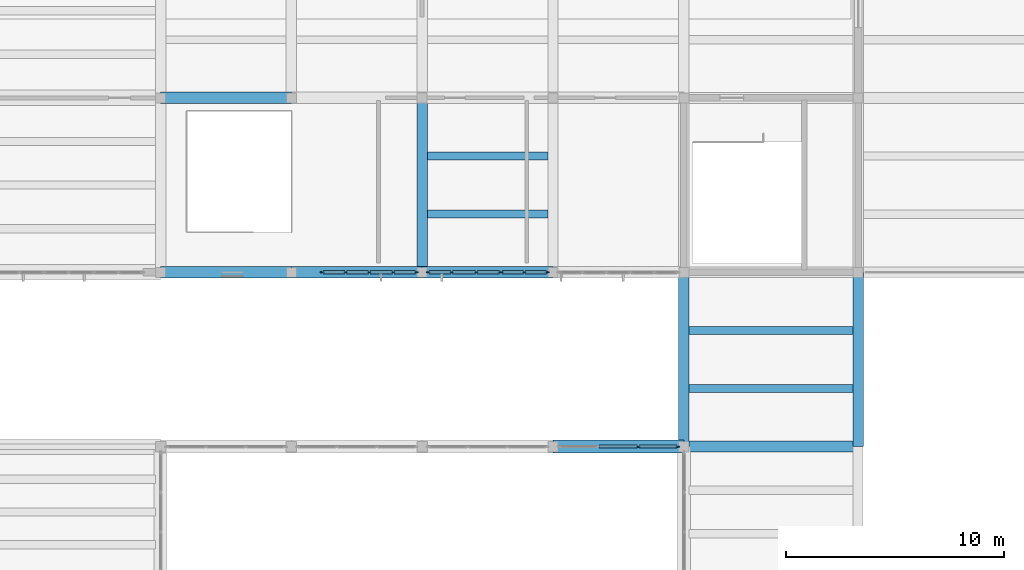
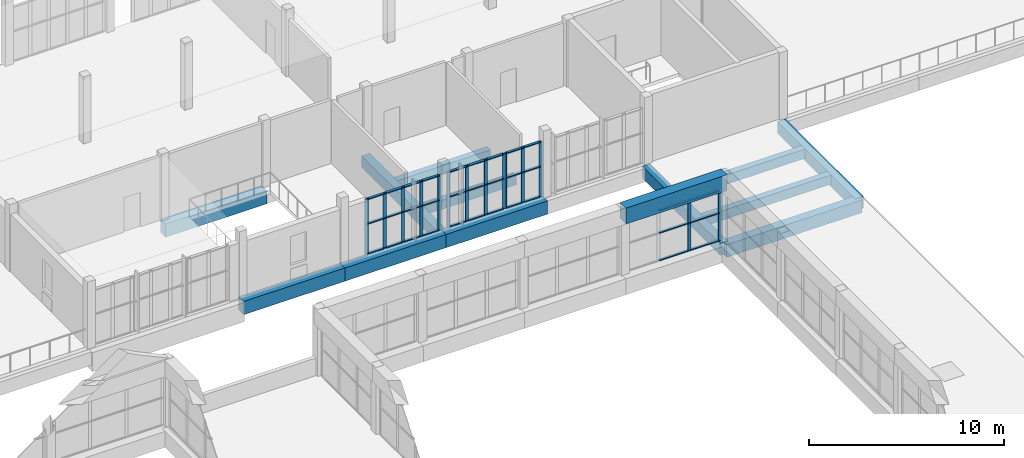
# One storey, part 26 of 70: 47 members, 13 beams, 4 elements without a shape of their own.
"""IFC4 building model written with IfcOpenShell, lengths in metres."""

from ifc_helpers import new_model, si_unit, direction, frame, origin, origin_2d, place, context, subcontext, project, spatial, rectangle, extrude, material, layer, layer_set, material_profile, profile_set, type_object, element, aggregate, save


model = new_model("IFC4")

# Units and contexts
model_context = context("Model", 3, precision=1e-05, world=origin(), true_north=direction((0.0, 1.0)))
body_context = subcontext(model_context, "Body", "Model", "MODEL_VIEW")
ifc_project = project(units=[si_unit("LENGTHUNIT", "METRE"), si_unit("AREAUNIT", "SQUARE_METRE"), si_unit("VOLUMEUNIT", "CUBIC_METRE"), si_unit("PLANEANGLEUNIT", "RADIAN"), si_unit("MASSUNIT", "GRAM", prefix="KILO")], contexts=[model_context])

# Site, building, storey
site_placement = place(None, origin())
site = spatial("IfcSite", under=ifc_project, at=site_placement, CompositionType="ELEMENT")
building_placement = place(site_placement, origin())
building = spatial("IfcBuilding", under=site, at=building_placement, Name="Solvane Community Centre", CompositionType="ELEMENT")
storey_placement = place(building_placement, frame((0.0, 0.0, 9.60009765625)))
storey = spatial("IfcBuildingStorey", under=building, at=storey_placement, Name="L02", CompositionType="ELEMENT", Elevation=9.60009765625)

# Curtain wall, members
ifc_material_1 = material(Name="Anodised bronze aluminium AW-6063 T6", Category="aluminium")
ifc_layer_1 = layer(ifc_material_1, 0.18994140625)
ifc_layer_set_1 = layer_set([ifc_layer_1], Name="Anodised bronze aluminium AW-6063 T6")
curtain_wall_type_1 = type_object("IfcCurtainWallType", Name="Boulevard Bronze Vision Curtain Wall [22x35dm]", PredefinedType="NOTDEFINED", material=ifc_layer_set_1)
curtain_wall_1_placement = place(storey_placement, origin())
curtain_wall_1 = element("IfcCurtainWall", 1, at=curtain_wall_1_placement, inside=storey, type_object=curtain_wall_type_1, Name="Curtain Wall CW-L02-538_860-211", PredefinedType="NOTDEFINED")
ifc_material_profile_1 = material_profile(ifc_material_1, rectangle(XDim=0.06005859375, YDim=0.18994140625, at=origin_2d()), Name="CW-M 60x190")
ifc_profile_set_1 = profile_set([ifc_material_profile_1], Name="Anodised bronze aluminium AW-6063 T6")
member_type_1 = type_object("IfcMemberType", Name="Boulevard Mullion 60x190", PredefinedType="MULLION", material=ifc_profile_set_1)
member_1_placement = place(storey_placement, frame((53.72509765625, 86.0, 0.0), z_axis=(0.0, 0.0, 1.0), x_axis=(0.0, -1.0, 0.0)))
member_1 = element("IfcMember", 2, at=member_1_placement, type_object=member_type_1, Name="CW02-22x35 mullion 1", PredefinedType="MULLION", context=body_context, shape_type="SweptSolid", body=[
    extrude(rectangle(XDim=0.06005859375, YDim=0.18994140625, at=origin_2d()), origin(), (0.0, 0.0, 1.0), 3.46484375),
])
member_2_placement = place(storey_placement, frame((52.677490234375, 86.0, 0.0), z_axis=(0.0, 0.0, 1.0), x_axis=(0.0, -1.0, 0.0)))
member_2 = element("IfcMember", 3, at=member_2_placement, type_object=member_type_1, Name="CW02-22x35 mullion 2", PredefinedType="MULLION", context=body_context, shape_type="SweptSolid", body=[
    extrude(rectangle(XDim=0.06005859375, YDim=0.18994140625, at=origin_2d()), origin(), (0.0, 0.0, 1.0), 3.46484375),
])
member_3_placement = place(storey_placement, frame((51.6298828125, 86.0, 0.0), z_axis=(0.0, 0.0, 1.0), x_axis=(0.0, -1.0, 0.0)))
member_3 = element("IfcMember", 4, at=member_3_placement, type_object=member_type_1, Name="CW02-22x35 mullion 3", PredefinedType="MULLION", context=body_context, shape_type="SweptSolid", body=[
    extrude(rectangle(XDim=0.06005859375, YDim=0.18994140625, at=origin_2d()), origin(), (0.0, 0.0, 1.0), 3.46484375),
])

ifc_layer_2 = layer(ifc_material_1, 0.18994140625)
ifc_layer_set_2 = layer_set([ifc_layer_2], Name="Anodised bronze aluminium AW-6063 T6")
curtain_wall_type_2 = type_object("IfcCurtainWallType", Name="Boulevard Bronze Vision Curtain Wall [34x35dm]", PredefinedType="NOTDEFINED", material=ifc_layer_set_2)
curtain_wall_2_placement = place(storey_placement, origin())
curtain_wall_2 = element("IfcCurtainWall", 5, at=curtain_wall_2_placement, inside=storey, type_object=curtain_wall_type_2, Name="Curtain Wall CW-L02-516_860-212", PredefinedType="NOTDEFINED")
member_4_placement = place(storey_placement, frame((51.570068359375, 86.0, 0.0), z_axis=(0.0, 0.0, 1.0), x_axis=(0.0, -1.0, 0.0)))
member_4 = element("IfcMember", 6, at=member_4_placement, type_object=member_type_1, Name="CW02-34x35 mullion 1", PredefinedType="MULLION", context=body_context, shape_type="SweptSolid", body=[
    extrude(rectangle(XDim=0.06005859375, YDim=0.18994140625, at=origin_2d()), origin(), (0.0, 0.0, 1.0), 3.46484375),
])
member_5_placement = place(storey_placement, frame((50.481689453125, 86.0, 0.0), z_axis=(0.0, 0.0, 1.0), x_axis=(0.0, -1.0, 0.0)))
member_5 = element("IfcMember", 7, at=member_5_placement, type_object=member_type_1, Name="CW02-34x35 mullion 2", PredefinedType="MULLION", context=body_context, shape_type="SweptSolid", body=[
    extrude(rectangle(XDim=0.06005859375, YDim=0.18994140625, at=origin_2d()), origin(), (0.0, 0.0, 1.0), 3.46484375),
])
member_6_placement = place(storey_placement, frame((49.36328125, 86.0, 0.0), z_axis=(0.0, 0.0, 1.0), x_axis=(0.0, -1.0, 0.0)))
member_6 = element("IfcMember", 8, at=member_6_placement, type_object=member_type_1, Name="CW02-34x35 mullion 3", PredefinedType="MULLION", context=body_context, shape_type="SweptSolid", body=[
    extrude(rectangle(XDim=0.06005859375, YDim=0.18994140625, at=origin_2d()), origin(), (0.0, 0.0, 1.0), 3.46484375),
])
member_7_placement = place(storey_placement, frame((48.27490234375, 86.0, 0.0), z_axis=(0.0, 0.0, 1.0), x_axis=(0.0, -1.0, 0.0)))
member_7 = element("IfcMember", 9, at=member_7_placement, type_object=member_type_1, Name="CW02-34x35 mullion 4", PredefinedType="MULLION", context=body_context, shape_type="SweptSolid", body=[
    extrude(rectangle(XDim=0.06005859375, YDim=0.18994140625, at=origin_2d()), origin(), (0.0, 0.0, 1.0), 3.46484375),
])

ifc_layer_3 = layer(ifc_material_1, 0.18994140625)
ifc_layer_set_3 = layer_set([ifc_layer_3], Name="Anodised bronze aluminium AW-6063 T6")
curtain_wall_type_3 = type_object("IfcCurtainWallType", Name="Boulevard Bronze Vision Curtain Wall [44x35dm]", PredefinedType="NOTDEFINED", material=ifc_layer_set_3)
curtain_wall_3_placement = place(storey_placement, origin())
curtain_wall_3 = element("IfcCurtainWall", 10, at=curtain_wall_3_placement, inside=storey, type_object=curtain_wall_type_3, Name="Curtain Wall CW-L02-478_860-213", PredefinedType="NOTDEFINED")
member_8_placement = place(storey_placement, frame((47.72509765625, 86.0, 0.0), z_axis=(0.0, 0.0, 1.0), x_axis=(0.0, -1.0, 0.0)))
member_8 = element("IfcMember", 11, at=member_8_placement, type_object=member_type_1, Name="CW02-44x35 mullion 1", PredefinedType="MULLION", context=body_context, shape_type="SweptSolid", body=[
    extrude(rectangle(XDim=0.06005859375, YDim=0.18994140625, at=origin_2d()), origin(), (0.0, 0.0, 1.0), 3.46484375),
])
member_9_placement = place(storey_placement, frame((46.666259765625, 86.0, 0.0), z_axis=(0.0, 0.0, 1.0), x_axis=(0.0, -1.0, 0.0)))
member_9 = element("IfcMember", 12, at=member_9_placement, type_object=member_type_1, Name="CW02-44x35 mullion 2", PredefinedType="MULLION", context=body_context, shape_type="SweptSolid", body=[
    extrude(rectangle(XDim=0.06005859375, YDim=0.18994140625, at=origin_2d()), origin(), (0.0, 0.0, 1.0), 3.46484375),
])
member_10_placement = place(storey_placement, frame((45.577392578125, 86.0, 0.0), z_axis=(0.0, 0.0, 1.0), x_axis=(0.0, -1.0, 0.0)))
member_10 = element("IfcMember", 13, at=member_10_placement, type_object=member_type_1, Name="CW02-44x35 mullion 3", PredefinedType="MULLION", context=body_context, shape_type="SweptSolid", body=[
    extrude(rectangle(XDim=0.06005859375, YDim=0.18994140625, at=origin_2d()), origin(), (0.0, 0.0, 1.0), 3.46484375),
])
member_11_placement = place(storey_placement, frame((44.48876953125, 86.0, 0.0), z_axis=(0.0, 0.0, 1.0), x_axis=(0.0, -1.0, 0.0)))
member_11 = element("IfcMember", 14, at=member_11_placement, type_object=member_type_1, Name="CW02-44x35 mullion 4", PredefinedType="MULLION", context=body_context, shape_type="SweptSolid", body=[
    extrude(rectangle(XDim=0.06005859375, YDim=0.18994140625, at=origin_2d()), origin(), (0.0, 0.0, 1.0), 3.46484375),
])
member_12_placement = place(storey_placement, frame((43.429931640625, 86.0, 0.0), z_axis=(0.0, 0.0, 1.0), x_axis=(0.0, -1.0, 0.0)))
member_12 = element("IfcMember", 15, at=member_12_placement, type_object=member_type_1, Name="CW02-44x35 mullion 5", PredefinedType="MULLION", context=body_context, shape_type="SweptSolid", body=[
    extrude(rectangle(XDim=0.06005859375, YDim=0.18994140625, at=origin_2d()), origin(), (0.0, 0.0, 1.0), 3.46484375),
])

# Member
ifc_material_profile_2 = material_profile(ifc_material_1, rectangle(XDim=0.14990234375, YDim=0.06005859375, at=origin_2d()), Name="CW-T 60x150")
ifc_profile_set_2 = profile_set([ifc_material_profile_2], Name="Anodised bronze aluminium AW-6063 T6")
member_type_2 = type_object("IfcMemberType", Name="Boulevard Transom 60x150", PredefinedType="USERDEFINED", material=ifc_profile_set_2)
member_13_placement = place(storey_placement, frame((53.695068359375, 86.0, 0.02978515625), z_axis=(-1.0, 0.0, 0.0), x_axis=(0.0, -1.0, 0.0)))
member_13 = element("IfcMember", 16, at=member_13_placement, type_object=member_type_2, Name="CW02-22x35 transom 1.1", ObjectType="TRANSOM", PredefinedType="USERDEFINED", context=body_context, shape_type="SweptSolid", body=[
    extrude(rectangle(XDim=0.14990234375, YDim=0.06005859375, at=origin_2d()), origin(), (0.0, 0.0, 1.0), 0.987548828125),
])

member_14_placement = place(storey_placement, frame((53.695068359375, 86.0, 1.906005859375), z_axis=(-1.0, 0.0, 0.0), x_axis=(0.0, -1.0, 0.0)))
member_14 = element("IfcMember", 17, at=member_14_placement, type_object=member_type_2, Name="CW02-22x35 transom 1.2", ObjectType="TRANSOM", PredefinedType="USERDEFINED", context=body_context, shape_type="SweptSolid", body=[
    extrude(rectangle(XDim=0.14990234375, YDim=0.06005859375, at=origin_2d()), origin(), (0.0, 0.0, 1.0), 0.987548828125),
])

member_15_placement = place(storey_placement, frame((53.695068359375, 86.0, 3.434814453125), z_axis=(-1.0, 0.0, 0.0), x_axis=(0.0, -1.0, 0.0)))
member_15 = element("IfcMember", 18, at=member_15_placement, type_object=member_type_2, Name="CW02-22x35 transom 1.3", ObjectType="TRANSOM", PredefinedType="USERDEFINED", context=body_context, shape_type="SweptSolid", body=[
    extrude(rectangle(XDim=0.14990234375, YDim=0.06005859375, at=origin_2d()), origin(), (0.0, 0.0, 1.0), 0.987548828125),
])

member_16_placement = place(storey_placement, frame((52.6474609375, 86.0, 0.02978515625), z_axis=(-1.0, 0.0, 0.0), x_axis=(0.0, -1.0, 0.0)))
member_16 = element("IfcMember", 19, at=member_16_placement, type_object=member_type_2, Name="CW02-22x35 transom 2.1", ObjectType="TRANSOM", PredefinedType="USERDEFINED", context=body_context, shape_type="SweptSolid", body=[
    extrude(rectangle(XDim=0.14990234375, YDim=0.06005859375, at=origin_2d()), origin(), (0.0, 0.0, 1.0), 0.987548828125),
])

member_17_placement = place(storey_placement, frame((52.6474609375, 86.0, 1.906005859375), z_axis=(-1.0, 0.0, 0.0), x_axis=(0.0, -1.0, 0.0)))
member_17 = element("IfcMember", 20, at=member_17_placement, type_object=member_type_2, Name="CW02-22x35 transom 2.2", ObjectType="TRANSOM", PredefinedType="USERDEFINED", context=body_context, shape_type="SweptSolid", body=[
    extrude(rectangle(XDim=0.14990234375, YDim=0.06005859375, at=origin_2d()), origin(), (0.0, 0.0, 1.0), 0.987548828125),
])

member_18_placement = place(storey_placement, frame((52.6474609375, 86.0, 3.434814453125), z_axis=(-1.0, 0.0, 0.0), x_axis=(0.0, -1.0, 0.0)))
member_18 = element("IfcMember", 21, at=member_18_placement, type_object=member_type_2, Name="CW02-22x35 transom 2.3", ObjectType="TRANSOM", PredefinedType="USERDEFINED", context=body_context, shape_type="SweptSolid", body=[
    extrude(rectangle(XDim=0.14990234375, YDim=0.06005859375, at=origin_2d()), origin(), (0.0, 0.0, 1.0), 0.987548828125),
])

aggregate(curtain_wall_1, [member_1, member_2, member_3, member_13, member_14, member_15, member_16, member_17, member_18])

member_19_placement = place(storey_placement, frame((51.5400390625, 86.0, 0.02978515625), z_axis=(-1.0, 0.0, 0.0), x_axis=(0.0, -1.0, 0.0)))
member_19 = element("IfcMember", 22, at=member_19_placement, type_object=member_type_2, Name="CW02-34x35 transom 1.1", ObjectType="TRANSOM", PredefinedType="USERDEFINED", context=body_context, shape_type="SweptSolid", body=[
    extrude(rectangle(XDim=0.14990234375, YDim=0.06005859375, at=origin_2d()), origin(), (0.0, 0.0, 1.0), 1.0283203125),
])

member_20_placement = place(storey_placement, frame((51.5400390625, 86.0, 1.906005859375), z_axis=(-1.0, 0.0, 0.0), x_axis=(0.0, -1.0, 0.0)))
member_20 = element("IfcMember", 23, at=member_20_placement, type_object=member_type_2, Name="CW02-34x35 transom 1.2", ObjectType="TRANSOM", PredefinedType="USERDEFINED", context=body_context, shape_type="SweptSolid", body=[
    extrude(rectangle(XDim=0.14990234375, YDim=0.06005859375, at=origin_2d()), origin(), (0.0, 0.0, 1.0), 1.0283203125),
])

member_21_placement = place(storey_placement, frame((51.5400390625, 86.0, 3.434814453125), z_axis=(-1.0, 0.0, 0.0), x_axis=(0.0, -1.0, 0.0)))
member_21 = element("IfcMember", 24, at=member_21_placement, type_object=member_type_2, Name="CW02-34x35 transom 1.3", ObjectType="TRANSOM", PredefinedType="USERDEFINED", context=body_context, shape_type="SweptSolid", body=[
    extrude(rectangle(XDim=0.14990234375, YDim=0.06005859375, at=origin_2d()), origin(), (0.0, 0.0, 1.0), 1.0283203125),
])

member_22_placement = place(storey_placement, frame((50.45166015625, 86.0, 0.02978515625), z_axis=(-1.0, 0.0, 0.0), x_axis=(0.0, -1.0, 0.0)))
member_22 = element("IfcMember", 25, at=member_22_placement, type_object=member_type_2, Name="CW02-34x35 transom 2.1", ObjectType="TRANSOM", PredefinedType="USERDEFINED", context=body_context, shape_type="SweptSolid", body=[
    extrude(rectangle(XDim=0.14990234375, YDim=0.06005859375, at=origin_2d()), origin(), (0.0, 0.0, 1.0), 1.058349609375),
])

member_23_placement = place(storey_placement, frame((50.45166015625, 86.0, 1.906005859375), z_axis=(-1.0, 0.0, 0.0), x_axis=(0.0, -1.0, 0.0)))
member_23 = element("IfcMember", 26, at=member_23_placement, type_object=member_type_2, Name="CW02-34x35 transom 2.2", ObjectType="TRANSOM", PredefinedType="USERDEFINED", context=body_context, shape_type="SweptSolid", body=[
    extrude(rectangle(XDim=0.14990234375, YDim=0.06005859375, at=origin_2d()), origin(), (0.0, 0.0, 1.0), 1.058349609375),
])

member_24_placement = place(storey_placement, frame((50.45166015625, 86.0, 3.434814453125), z_axis=(-1.0, 0.0, 0.0), x_axis=(0.0, -1.0, 0.0)))
member_24 = element("IfcMember", 27, at=member_24_placement, type_object=member_type_2, Name="CW02-34x35 transom 2.3", ObjectType="TRANSOM", PredefinedType="USERDEFINED", context=body_context, shape_type="SweptSolid", body=[
    extrude(rectangle(XDim=0.14990234375, YDim=0.06005859375, at=origin_2d()), origin(), (0.0, 0.0, 1.0), 1.058349609375),
])

member_25_placement = place(storey_placement, frame((49.333251953125, 86.0, 0.02978515625), z_axis=(-1.0, 0.0, 0.0), x_axis=(0.0, -1.0, 0.0)))
member_25 = element("IfcMember", 28, at=member_25_placement, type_object=member_type_2, Name="CW02-34x35 transom 3.1", ObjectType="TRANSOM", PredefinedType="USERDEFINED", context=body_context, shape_type="SweptSolid", body=[
    extrude(rectangle(XDim=0.14990234375, YDim=0.06005859375, at=origin_2d()), origin(), (0.0, 0.0, 1.0), 1.0283203125),
])

member_26_placement = place(storey_placement, frame((49.333251953125, 86.0, 1.906005859375), z_axis=(-1.0, 0.0, 0.0), x_axis=(0.0, -1.0, 0.0)))
member_26 = element("IfcMember", 29, at=member_26_placement, type_object=member_type_2, Name="CW02-34x35 transom 3.2", ObjectType="TRANSOM", PredefinedType="USERDEFINED", context=body_context, shape_type="SweptSolid", body=[
    extrude(rectangle(XDim=0.14990234375, YDim=0.06005859375, at=origin_2d()), origin(), (0.0, 0.0, 1.0), 1.0283203125),
])

member_27_placement = place(storey_placement, frame((49.333251953125, 86.0, 3.434814453125), z_axis=(-1.0, 0.0, 0.0), x_axis=(0.0, -1.0, 0.0)))
member_27 = element("IfcMember", 30, at=member_27_placement, type_object=member_type_2, Name="CW02-34x35 transom 3.3", ObjectType="TRANSOM", PredefinedType="USERDEFINED", context=body_context, shape_type="SweptSolid", body=[
    extrude(rectangle(XDim=0.14990234375, YDim=0.06005859375, at=origin_2d()), origin(), (0.0, 0.0, 1.0), 1.0283203125),
])

aggregate(curtain_wall_2, [member_4, member_5, member_6, member_7, member_19, member_20, member_21, member_22, member_23, member_24, member_25, member_26, member_27])

member_28_placement = place(storey_placement, frame((47.695068359375, 86.0, 0.02978515625), z_axis=(-1.0, 0.0, 0.0), x_axis=(0.0, -1.0, 0.0)))
member_28 = element("IfcMember", 31, at=member_28_placement, type_object=member_type_2, Name="CW02-44x35 transom 1.1", ObjectType="TRANSOM", PredefinedType="USERDEFINED", context=body_context, shape_type="SweptSolid", body=[
    extrude(rectangle(XDim=0.14990234375, YDim=0.06005859375, at=origin_2d()), origin(), (0.0, 0.0, 1.0), 0.998779296875),
])

member_29_placement = place(storey_placement, frame((47.695068359375, 86.0, 1.906005859375), z_axis=(-1.0, 0.0, 0.0), x_axis=(0.0, -1.0, 0.0)))
member_29 = element("IfcMember", 32, at=member_29_placement, type_object=member_type_2, Name="CW02-44x35 transom 1.2", ObjectType="TRANSOM", PredefinedType="USERDEFINED", context=body_context, shape_type="SweptSolid", body=[
    extrude(rectangle(XDim=0.14990234375, YDim=0.06005859375, at=origin_2d()), origin(), (0.0, 0.0, 1.0), 0.998779296875),
])

member_30_placement = place(storey_placement, frame((47.695068359375, 86.0, 3.434814453125), z_axis=(-1.0, 0.0, 0.0), x_axis=(0.0, -1.0, 0.0)))
member_30 = element("IfcMember", 33, at=member_30_placement, type_object=member_type_2, Name="CW02-44x35 transom 1.3", ObjectType="TRANSOM", PredefinedType="USERDEFINED", context=body_context, shape_type="SweptSolid", body=[
    extrude(rectangle(XDim=0.14990234375, YDim=0.06005859375, at=origin_2d()), origin(), (0.0, 0.0, 1.0), 0.998779296875),
])

member_31_placement = place(storey_placement, frame((46.63623046875, 86.0, 0.02978515625), z_axis=(-1.0, 0.0, 0.0), x_axis=(0.0, -1.0, 0.0)))
member_31 = element("IfcMember", 34, at=member_31_placement, type_object=member_type_2, Name="CW02-44x35 transom 2.1", ObjectType="TRANSOM", PredefinedType="USERDEFINED", context=body_context, shape_type="SweptSolid", body=[
    extrude(rectangle(XDim=0.14990234375, YDim=0.06005859375, at=origin_2d()), origin(), (0.0, 0.0, 1.0), 1.02880859375),
])

member_32_placement = place(storey_placement, frame((46.63623046875, 86.0, 1.906005859375), z_axis=(-1.0, 0.0, 0.0), x_axis=(0.0, -1.0, 0.0)))
member_32 = element("IfcMember", 35, at=member_32_placement, type_object=member_type_2, Name="CW02-44x35 transom 2.2", ObjectType="TRANSOM", PredefinedType="USERDEFINED", context=body_context, shape_type="SweptSolid", body=[
    extrude(rectangle(XDim=0.14990234375, YDim=0.06005859375, at=origin_2d()), origin(), (0.0, 0.0, 1.0), 1.02880859375),
])

member_33_placement = place(storey_placement, frame((46.63623046875, 86.0, 3.434814453125), z_axis=(-1.0, 0.0, 0.0), x_axis=(0.0, -1.0, 0.0)))
member_33 = element("IfcMember", 36, at=member_33_placement, type_object=member_type_2, Name="CW02-44x35 transom 2.3", ObjectType="TRANSOM", PredefinedType="USERDEFINED", context=body_context, shape_type="SweptSolid", body=[
    extrude(rectangle(XDim=0.14990234375, YDim=0.06005859375, at=origin_2d()), origin(), (0.0, 0.0, 1.0), 1.02880859375),
])

member_34_placement = place(storey_placement, frame((45.547607421875, 86.0, 0.02978515625), z_axis=(-1.0, 0.0, 0.0), x_axis=(0.0, -1.0, 0.0)))
member_34 = element("IfcMember", 37, at=member_34_placement, type_object=member_type_2, Name="CW02-44x35 transom 3.1", ObjectType="TRANSOM", PredefinedType="USERDEFINED", context=body_context, shape_type="SweptSolid", body=[
    extrude(rectangle(XDim=0.14990234375, YDim=0.06005859375, at=origin_2d()), origin(), (0.0, 0.0, 1.0), 1.02880859375),
])

member_35_placement = place(storey_placement, frame((45.547607421875, 86.0, 1.906005859375), z_axis=(-1.0, 0.0, 0.0), x_axis=(0.0, -1.0, 0.0)))
member_35 = element("IfcMember", 38, at=member_35_placement, type_object=member_type_2, Name="CW02-44x35 transom 3.2", ObjectType="TRANSOM", PredefinedType="USERDEFINED", context=body_context, shape_type="SweptSolid", body=[
    extrude(rectangle(XDim=0.14990234375, YDim=0.06005859375, at=origin_2d()), origin(), (0.0, 0.0, 1.0), 1.02880859375),
])

member_36_placement = place(storey_placement, frame((45.547607421875, 86.0, 3.434814453125), z_axis=(-1.0, 0.0, 0.0), x_axis=(0.0, -1.0, 0.0)))
member_36 = element("IfcMember", 39, at=member_36_placement, type_object=member_type_2, Name="CW02-44x35 transom 3.3", ObjectType="TRANSOM", PredefinedType="USERDEFINED", context=body_context, shape_type="SweptSolid", body=[
    extrude(rectangle(XDim=0.14990234375, YDim=0.06005859375, at=origin_2d()), origin(), (0.0, 0.0, 1.0), 1.02880859375),
])

member_37_placement = place(storey_placement, frame((44.458740234375, 86.0, 0.02978515625), z_axis=(-1.0, 0.0, 0.0), x_axis=(0.0, -1.0, 0.0)))
member_37 = element("IfcMember", 40, at=member_37_placement, type_object=member_type_2, Name="CW02-44x35 transom 4.1", ObjectType="TRANSOM", PredefinedType="USERDEFINED", context=body_context, shape_type="SweptSolid", body=[
    extrude(rectangle(XDim=0.14990234375, YDim=0.06005859375, at=origin_2d()), origin(), (0.0, 0.0, 1.0), 0.998779296875),
])

member_38_placement = place(storey_placement, frame((44.458740234375, 86.0, 1.906005859375), z_axis=(-1.0, 0.0, 0.0), x_axis=(0.0, -1.0, 0.0)))
member_38 = element("IfcMember", 41, at=member_38_placement, type_object=member_type_2, Name="CW02-44x35 transom 4.2", ObjectType="TRANSOM", PredefinedType="USERDEFINED", context=body_context, shape_type="SweptSolid", body=[
    extrude(rectangle(XDim=0.14990234375, YDim=0.06005859375, at=origin_2d()), origin(), (0.0, 0.0, 1.0), 0.998779296875),
])

member_39_placement = place(storey_placement, frame((44.458740234375, 86.0, 3.434814453125), z_axis=(-1.0, 0.0, 0.0), x_axis=(0.0, -1.0, 0.0)))
member_39 = element("IfcMember", 42, at=member_39_placement, type_object=member_type_2, Name="CW02-44x35 transom 4.3", ObjectType="TRANSOM", PredefinedType="USERDEFINED", context=body_context, shape_type="SweptSolid", body=[
    extrude(rectangle(XDim=0.14990234375, YDim=0.06005859375, at=origin_2d()), origin(), (0.0, 0.0, 1.0), 0.998779296875),
])

aggregate(curtain_wall_3, [member_8, member_9, member_10, member_11, member_12, member_28, member_29, member_30, member_31, member_32, member_33, member_34, member_35, member_36, member_37, member_38, member_39])

# Curtain wall, members
ifc_layer_4 = layer(ifc_material_1, 0.179931640625)
ifc_layer_set_4 = layer_set([ifc_layer_4], Name="Anodised bronze aluminium AW-6063 T6")
curtain_wall_type_4 = type_object("IfcCurtainWallType", Name="Hall Translucent Upper Curtain Wall [55x32dm]", PredefinedType="NOTDEFINED", material=ifc_layer_set_4)
curtain_wall_4_placement = place(storey_placement, origin())
curtain_wall_4 = element("IfcCurtainWall", 43, at=curtain_wall_4_placement, inside=storey, type_object=curtain_wall_type_4, Name="Curtain Wall CW-L02-543_780-161", PredefinedType="NOTDEFINED")
ifc_material_profile_3 = material_profile(ifc_material_1, rectangle(XDim=0.06005859375, YDim=0.179931640625, at=origin_2d()), Name="CW-M 60x180")
ifc_profile_set_3 = profile_set([ifc_material_profile_3], Name="Anodised bronze aluminium AW-6063 T6")
member_type_3 = type_object("IfcMemberType", Name="Hall Mullion 60x180", PredefinedType="MULLION", material=ifc_profile_set_3)
member_40_placement = place(storey_placement, frame((57.9150390625, 78.0, 0.0), z_axis=(0.0, 0.0, 1.0), x_axis=(0.0, 1.0, 0.0)))
member_40 = element("IfcMember", 44, at=member_40_placement, type_object=member_type_3, Name="CW01-55x32 mullion 3", PredefinedType="MULLION", context=body_context, shape_type="SweptSolid", body=[
    extrude(rectangle(XDim=0.06005859375, YDim=0.179931640625, at=origin_2d()), origin(), (0.0, 0.0, 1.0), 3.184814453125),
])
member_41_placement = place(storey_placement, frame((59.715087890625, 78.0, 0.0), z_axis=(0.0, 0.0, 1.0), x_axis=(0.0, 1.0, 0.0)))
member_41 = element("IfcMember", 45, at=member_41_placement, type_object=member_type_3, Name="CW01-55x32 mullion 4", PredefinedType="MULLION", context=body_context, shape_type="SweptSolid", body=[
    extrude(rectangle(XDim=0.06005859375, YDim=0.179931640625, at=origin_2d()), origin(), (0.0, 0.0, 1.0), 3.184814453125),
])
ifc_material_profile_4 = material_profile(ifc_material_1, rectangle(XDim=0.139892578125, YDim=0.06005859375, at=origin_2d()), Name="CW-T 60x140")
ifc_profile_set_4 = profile_set([ifc_material_profile_4], Name="Anodised bronze aluminium AW-6063 T6")
member_type_4 = type_object("IfcMemberType", Name="Hall Transom 60x140", PredefinedType="USERDEFINED", material=ifc_profile_set_4)
member_42_placement = place(storey_placement, frame((56.114990234375, 78.0, 0.02978515625), z_axis=(1.0, 0.0, 0.0), x_axis=(0.0, 1.0, 0.0)))
member_42 = element("IfcMember", 46, at=member_42_placement, type_object=member_type_4, Name="CW01-55x32 transom 2.1", ObjectType="TRANSOM", PredefinedType="USERDEFINED", context=body_context, shape_type="SweptSolid", body=[
    extrude(rectangle(XDim=0.139892578125, YDim=0.06005859375, at=origin_2d()), origin(), (0.0, 0.0, 1.0), 1.77001953125),
])
member_43_placement = place(storey_placement, frame((56.114990234375, 78.0, 1.751953125), z_axis=(1.0, 0.0, 0.0), x_axis=(0.0, 1.0, 0.0)))
member_43 = element("IfcMember", 47, at=member_43_placement, type_object=member_type_4, Name="CW01-55x32 transom 2.2", ObjectType="TRANSOM", PredefinedType="USERDEFINED", context=body_context, shape_type="SweptSolid", body=[
    extrude(rectangle(XDim=0.139892578125, YDim=0.06005859375, at=origin_2d()), origin(), (0.0, 0.0, 1.0), 1.77001953125),
])
member_44_placement = place(storey_placement, frame((56.114990234375, 78.0, 3.15478515625), z_axis=(1.0, 0.0, 0.0), x_axis=(0.0, 1.0, 0.0)))
member_44 = element("IfcMember", 48, at=member_44_placement, type_object=member_type_4, Name="CW01-55x32 transom 2.3", ObjectType="TRANSOM", PredefinedType="USERDEFINED", context=body_context, shape_type="SweptSolid", body=[
    extrude(rectangle(XDim=0.139892578125, YDim=0.06005859375, at=origin_2d()), origin(), (0.0, 0.0, 1.0), 1.77001953125),
])
member_45_placement = place(storey_placement, frame((57.945068359375, 78.0, 0.02978515625), z_axis=(1.0, 0.0, 0.0), x_axis=(0.0, 1.0, 0.0)))
member_45 = element("IfcMember", 49, at=member_45_placement, type_object=member_type_4, Name="CW01-55x32 transom 3.1", ObjectType="TRANSOM", PredefinedType="USERDEFINED", context=body_context, shape_type="SweptSolid", body=[
    extrude(rectangle(XDim=0.139892578125, YDim=0.06005859375, at=origin_2d()), origin(), (0.0, 0.0, 1.0), 1.739990234375),
])
member_46_placement = place(storey_placement, frame((57.945068359375, 78.0, 1.751953125), z_axis=(1.0, 0.0, 0.0), x_axis=(0.0, 1.0, 0.0)))
member_46 = element("IfcMember", 50, at=member_46_placement, type_object=member_type_4, Name="CW01-55x32 transom 3.2", ObjectType="TRANSOM", PredefinedType="USERDEFINED", context=body_context, shape_type="SweptSolid", body=[
    extrude(rectangle(XDim=0.139892578125, YDim=0.06005859375, at=origin_2d()), origin(), (0.0, 0.0, 1.0), 1.739990234375),
])
member_47_placement = place(storey_placement, frame((57.945068359375, 78.0, 3.15478515625), z_axis=(1.0, 0.0, 0.0), x_axis=(0.0, 1.0, 0.0)))
member_47 = element("IfcMember", 51, at=member_47_placement, type_object=member_type_4, Name="CW01-55x32 transom 3.3", ObjectType="TRANSOM", PredefinedType="USERDEFINED", context=body_context, shape_type="SweptSolid", body=[
    extrude(rectangle(XDim=0.139892578125, YDim=0.06005859375, at=origin_2d()), origin(), (0.0, 0.0, 1.0), 1.739990234375),
])
aggregate(curtain_wall_4, [member_40, member_41, member_42, member_43, member_44, member_45, member_46, member_47])

# Beams
ifc_material_2 = material(Name="Concrete C35/45", Category="concrete")
ifc_material_profile_5 = material_profile(ifc_material_2, rectangle(XDim=0.47998046875, YDim=0.739990234375, at=origin_2d()), Name="RC 480x740")
ifc_profile_set_5 = profile_set([ifc_material_profile_5], Name="Concrete C35/45")
beam_type_1 = type_object("IfcBeamType", Name="RC Bay Beam 480x740", PredefinedType="BEAM", material=ifc_profile_set_5)
for number, where, z_axis, x_axis, name in (
    (52, (48.0, 86.0, -0.590087890625), (0.0, 1.0, 0.0), (-1.0, 0.0, 0.0), "Beam BM-L02-480_860-480_940"),
    (53, (60.0, 78.0, -0.590087890625), (0.0, 1.0, 0.0), (-1.0, 0.0, 0.0), "Beam BM-L02-600_780-600_860"),
    (54, (68.0, 78.0, -0.590087890625), (0.0, 1.0, 0.0), (-1.0, 0.0, 0.0), "Beam BM-L02-680_780-680_860"),
):
    element("IfcBeam", number, at=place(storey_placement, frame(where, z_axis=z_axis, x_axis=x_axis)), inside=storey, type_object=beam_type_1, Name=name, PredefinedType="BEAM", context=body_context, shape_type="SweptSolid", body=[
        extrude(rectangle(XDim=0.47998046875, YDim=0.739990234375, at=origin_2d()), origin(), (0.0, 0.0, 1.0), 8.0),
    ])
ifc_material_profile_6 = material_profile(ifc_material_2, rectangle(XDim=0.52001953125, YDim=0.830078125, at=origin_2d()), Name="RC 520x830")
ifc_profile_set_6 = profile_set([ifc_material_profile_6], Name="Concrete C35/45")
beam_type_2 = type_object("IfcBeamType", Name="RC Medium Girder 520x830", PredefinedType="USERDEFINED", material=ifc_profile_set_6)
for number, where, z_axis, x_axis, name in (
    (55, (36.0, 86.0, -0.635009765625), (1.0, 0.0, 0.0), (0.0, 1.0, 0.0), "Beam BM-L02-360_860-420_860"),
    (56, (42.0, 86.0, -0.635009765625), (1.0, 0.0, 0.0), (0.0, 1.0, 0.0), "Beam BM-L02-420_860-480_860"),
    (57, (48.0, 86.0, -0.635009765625), (1.0, 0.0, 0.0), (0.0, 1.0, 0.0), "Beam BM-L02-480_860-540_860"),
    (58, (36.0, 94.0, -0.635009765625), (1.0, 0.0, 0.0), (0.0, 1.0, 0.0), "Beam BM-L02-360_940-420_940"),
):
    element("IfcBeam", number, at=place(storey_placement, frame(where, z_axis=z_axis, x_axis=x_axis)), inside=storey, type_object=beam_type_2, Name=name, ObjectType="GIRDER", PredefinedType="USERDEFINED", context=body_context, shape_type="SweptSolid", body=[
        extrude(rectangle(XDim=0.52001953125, YDim=0.830078125, at=origin_2d()), origin(), (0.0, 0.0, 1.0), 6.0),
    ])
ifc_material_profile_7 = material_profile(ifc_material_2, rectangle(XDim=0.5, YDim=0.800048828125, at=origin_2d()), Name="RC 500x800")
ifc_profile_set_7 = profile_set([ifc_material_profile_7], Name="Concrete C35/45")
beam_type_3 = type_object("IfcBeamType", Name="RC Primary Girder 500x800", PredefinedType="USERDEFINED", material=ifc_profile_set_7)
beam_1_placement = place(storey_placement, frame((60.0, 78.0, -0.6201171875), z_axis=(1.0, 0.0, 0.0), x_axis=(0.0, 1.0, 0.0)))
element("IfcBeam", 59, at=beam_1_placement, inside=storey, type_object=beam_type_3, Name="Beam BM-L02-600_780-680_780", ObjectType="GIRDER", PredefinedType="USERDEFINED", context=body_context, shape_type="SweptSolid", body=[
    extrude(rectangle(XDim=0.5, YDim=0.800048828125, at=origin_2d()), origin(), (0.0, 0.0, 1.0), 8.0),
])
ifc_material_profile_8 = material_profile(ifc_material_2, rectangle(XDim=0.3798828125, YDim=0.580078125, at=origin_2d()), Name="RC 380x580")
ifc_profile_set_8 = profile_set([ifc_material_profile_8], Name="Concrete C35/45")
beam_type_4 = type_object("IfcBeamType", Name="RC Short Joist 380x580", PredefinedType="JOIST", material=ifc_profile_set_8)
for number, where, z_axis, x_axis, name in (
    (60, (60.239990234375, 80.666748046875, -0.510009765625), (1.0, 0.0, 0.0), (0.0, 1.0, 0.0), "Beam BM-L02-602_807-678_807"),
    (61, (60.239990234375, 83.333251953125, -0.510009765625), (1.0, 0.0, 0.0), (0.0, 1.0, 0.0), "Beam BM-L02-602_833-678_833"),
):
    element("IfcBeam", number, at=place(storey_placement, frame(where, z_axis=z_axis, x_axis=x_axis)), inside=storey, type_object=beam_type_4, Name=name, PredefinedType="JOIST", context=body_context, shape_type="SweptSolid", body=[
        extrude(rectangle(XDim=0.3798828125, YDim=0.580078125, at=origin_2d()), origin(), (0.0, 0.0, 1.0), 7.52001953125),
    ])
ifc_material_profile_9 = material_profile(ifc_material_2, rectangle(XDim=0.360107421875, YDim=0.56005859375, at=origin_2d()), Name="RC 360x560")
ifc_profile_set_9 = profile_set([ifc_material_profile_9], Name="Concrete C35/45")
beam_type_5 = type_object("IfcBeamType", Name="RC Terrace Joist 360x560", PredefinedType="JOIST", material=ifc_profile_set_9)
for number, where, z_axis, x_axis, name in (
    (62, (48.239990234375, 88.666748046875, -0.5), (1.0, 0.0, 0.0), (0.0, 1.0, 0.0), "Beam BM-L02-482_887-538_887"),
    (63, (48.239990234375, 91.333251953125, -0.5), (1.0, 0.0, 0.0), (0.0, 1.0, 0.0), "Beam BM-L02-482_913-538_913"),
):
    element("IfcBeam", number, at=place(storey_placement, frame(where, z_axis=z_axis, x_axis=x_axis)), inside=storey, type_object=beam_type_5, Name=name, PredefinedType="JOIST", context=body_context, shape_type="SweptSolid", body=[
        extrude(rectangle(XDim=0.360107421875, YDim=0.56005859375, at=origin_2d()), origin(), (0.0, 0.0, 1.0), 5.52001953125),
    ])
ifc_material_profile_10 = material_profile(ifc_material_2, rectangle(XDim=0.60009765625, YDim=1.0, at=origin_2d()), Name="RC 600x1000")
ifc_profile_set_10 = profile_set([ifc_material_profile_10], Name="Concrete C35/45")
beam_type_6 = type_object("IfcBeamType", Name="RC Vault Thrust Ring Girder 600x1000", PredefinedType="USERDEFINED", material=ifc_profile_set_10)
beam_2_placement = place(storey_placement, frame((54.0, 78.0, 3.699951171875), z_axis=(1.0, 0.0, 0.0), x_axis=(0.0, 1.0, 0.0)))
element("IfcBeam", 64, at=beam_2_placement, inside=storey, type_object=beam_type_6, Name="Beam BM-L02-540_780-600_780-1485", ObjectType="GIRDER", PredefinedType="USERDEFINED", context=body_context, shape_type="SweptSolid", body=[
    extrude(rectangle(XDim=0.60009765625, YDim=1.0, at=origin_2d()), origin(), (0.0, 0.0, 1.0), 6.0),
])

save(model, "model.ifc")
